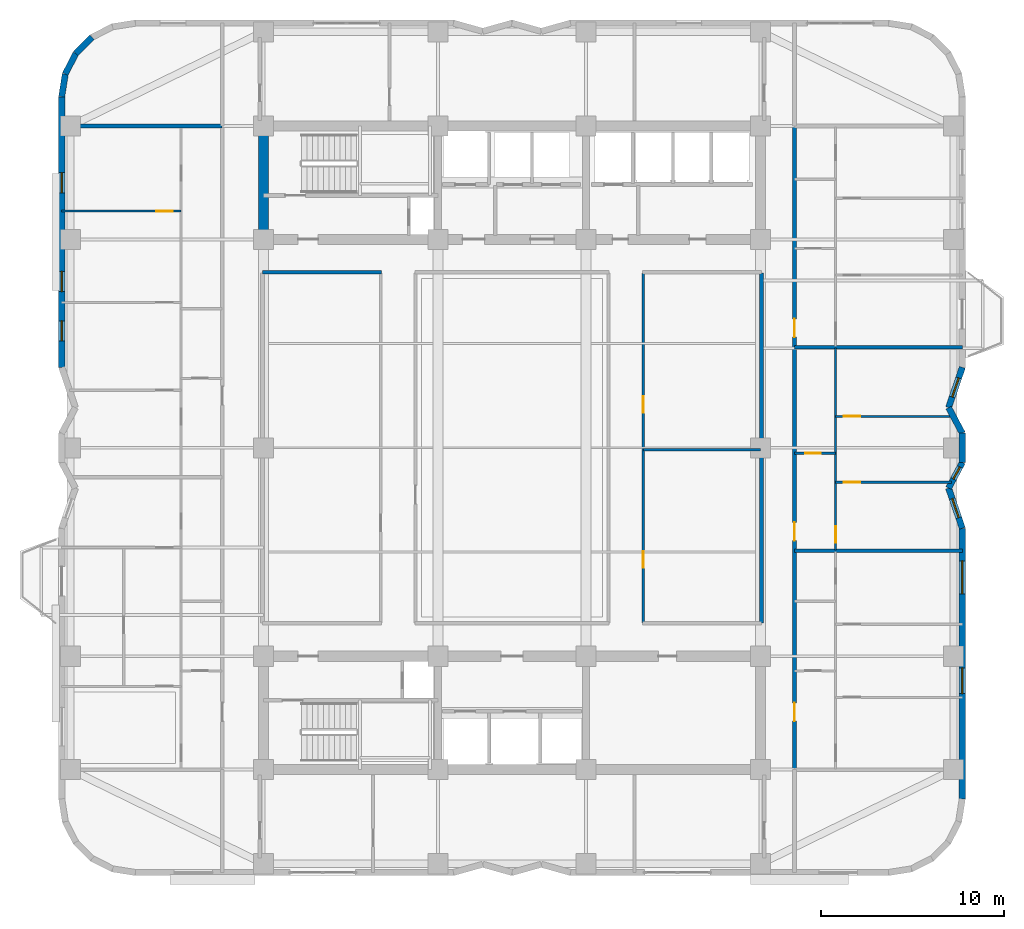
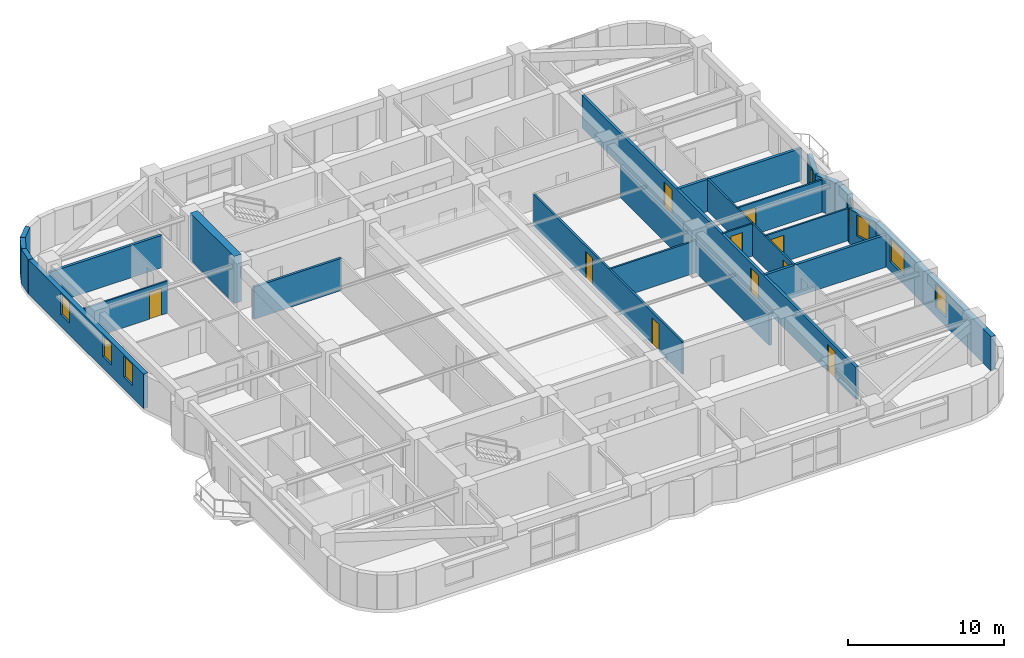
# One storey, part 10 of 15: 24 walls, 10 doors, 8 windows, 18 openings.
"""IFC4 building model written with IfcOpenShell, lengths in metres."""

from ifc_helpers import new_model, si_unit, direction, frame, frame_2d, origin, place, context, subcontext, project, spatial, rectangle, extrude, material, layer, layer_set, type_object, element, fill, save


model = new_model("IFC4")

# Units and contexts
model_context = context("Model", 3, precision=1e-05, world=origin(), true_north=direction((0.0, 1.0)))
body_context = subcontext(model_context, "Body", "Model", "MODEL_VIEW")
ifc_project = project(units=[si_unit("LENGTHUNIT", "METRE"), si_unit("AREAUNIT", "SQUARE_METRE"), si_unit("VOLUMEUNIT", "CUBIC_METRE"), si_unit("PLANEANGLEUNIT", "RADIAN"), si_unit("MASSUNIT", "GRAM", prefix="KILO")], contexts=[model_context])

# Site, building, storey
site_placement = place(None, origin())
site = spatial("IfcSite", under=ifc_project, at=site_placement, CompositionType="ELEMENT")
building_placement = place(site_placement, origin())
building = spatial("IfcBuilding", under=site, at=building_placement, Name="Svetorya Sky Lyceum", CompositionType="ELEMENT")
storey_placement = place(building_placement, frame((0.0, 0.0, 117.89990234375)))
storey = spatial("IfcBuildingStorey", under=building, at=storey_placement, Name="L29", CompositionType="ELEMENT", Elevation=117.89990234375)

# Wall
ifc_material_1 = material(Name="Concrete C60/75", Category="concrete")
ifc_layer_1 = layer(ifc_material_1, 0.550048828125)
ifc_layer_set_1 = layer_set([ifc_layer_1], Name="Concrete C60/75")
wall_type_1 = type_object("IfcWallType", Name="WL-CORE-550", PredefinedType="SHEAR", material=ifc_layer_set_1)
wall_1_placement = place(storey_placement, frame((25.60009765625, 39.875, 0.0), z_axis=(0.0, 0.0, 1.0), x_axis=(0.0, 1.0, 0.0)))
element("IfcWall", 1, at=wall_1_placement, inside=storey, type_object=wall_type_1, Name="L29 NC West Core Shear Wall", PredefinedType="SHEAR", context=body_context, shape_type="SweptSolid", body=[
    extrude(rectangle(XDim=5.64990234375, YDim=0.550048828125, at=frame_2d((2.824951171875, 0.0))), origin(), (0.0, 0.0, 1.0), 3.7001953125),
])

# Wall, openings, windows
ifc_material_2 = material(Name="Putilovo limestone rainscreen on autoclaved cellular masonry", Category="masonry")
ifc_layer_2 = layer(ifc_material_2, 0.340087890625)
ifc_layer_set_2 = layer_set([ifc_layer_2], Name="Putilovo limestone rainscreen on autoclaved cellular masonry")
wall_type_2 = type_object("IfcWallType", Name="WL-EXT-340", PredefinedType="SOLIDWALL", material=ifc_layer_set_2)
wall_2_placement = place(storey_placement, frame((63.830078125, 9.0, 0.0), z_axis=(0.0, 0.0, 1.0), x_axis=(0.0, 1.0, 0.0)))
wall_2 = element("IfcWall", 2, at=wall_2_placement, inside=storey, type_object=wall_type_2, Name="L29 Limestone Exterior Wall 17M", PredefinedType="SOLIDWALL", context=body_context, shape_type="SweptSolid", body=[
    extrude(rectangle(XDim=14.800048828125, YDim=0.340087890625, at=frame_2d((7.39990234375, 0.0))), origin(), (0.0, 0.0, 1.0), 2.7001953125),
])
opening_1_placement = place(wall_2_placement, frame((5.760009765625, 0.0, 0.68994140625)))
opening_1 = element("IfcOpeningElement", 3, at=opening_1_placement, cuts=wall_2, Name="Opening W-R2", PredefinedType="OPENING", context=body_context, shape_type="SweptSolid", body=[
    extrude(rectangle(XDim=1.39990234375, YDim=1.85009765625, at=frame_2d((0.699951171875, 0.925048828125))), frame((0.0, 0.179931640625, 0.0), z_axis=(0.0, -1.0, 0.0), x_axis=(1.0, 0.0, 0.0)), (0.0, 0.0, 1.0), 0.360107421875),
])
opening_2_placement = place(wall_2_placement, frame((11.21240234375, 0.0, 0.72998046875)))
opening_2 = element("IfcOpeningElement", 4, at=opening_2_placement, cuts=wall_2, Name="Opening W-R1", PredefinedType="OPENING", context=body_context, shape_type="SweptSolid", body=[
    extrude(rectangle(XDim=1.800048828125, YDim=1.85009765625, at=frame_2d((0.89990234375, 0.925048828125))), frame((0.0, 0.179931640625, 0.0), z_axis=(0.0, -1.0, 0.0), x_axis=(1.0, 0.0, 0.0)), (0.0, 0.0, 1.0), 0.360107421875),
])
ifc_material_3 = material(Name="Thermally broken aluminium frame with triple low-E glazing", Category="aluminium")
window_type_1 = type_object("IfcWindowType", Name="WN-RES-140", PartitioningType="SINGLE_PANEL", PredefinedType="WINDOW", material=ifc_material_3)
window_1_placement = place(opening_1_placement, origin())
window_1 = element("IfcWindow", 5, at=window_1_placement, inside=storey, type_object=window_type_1, Name="L29 Facade Window W-R2.17M.2", OverallHeight=1.85009765625, OverallWidth=1.39990234375, PartitioningType="SINGLE_PANEL", PredefinedType="WINDOW", context=body_context, shape_type="SweptSolid", body=[
    extrude(rectangle(XDim=1.39990234375, YDim=1.85009765625, at=frame_2d((0.699951171875, 0.925048828125))), frame((0.0, 0.030029296875, 0.0), z_axis=(0.0, -1.0, 0.0), x_axis=(1.0, 0.0, 0.0)), (0.0, 0.0, 1.0), 0.06005859375),
])
fill(opening_1, window_1)
window_type_2 = type_object("IfcWindowType", Name="WN-RES-180", PartitioningType="DOUBLE_PANEL_VERTICAL", PredefinedType="WINDOW", material=ifc_material_3)
window_2_placement = place(opening_2_placement, origin())
window_2 = element("IfcWindow", 6, at=window_2_placement, inside=storey, type_object=window_type_2, Name="L29 Facade Window W-R1.17M.1", OverallHeight=1.85009765625, OverallWidth=1.800048828125, PartitioningType="SINGLE_PANEL", PredefinedType="WINDOW", context=body_context, shape_type="SweptSolid", body=[
    extrude(rectangle(XDim=1.800048828125, YDim=1.85009765625, at=frame_2d((0.89990234375, 0.925048828125))), frame((0.0, 0.030029296875, 0.0), z_axis=(0.0, -1.0, 0.0), x_axis=(1.0, 0.0, 0.0)), (0.0, 0.0, 1.0), 0.06005859375),
])
fill(opening_2, window_2)

# Wall, opening, window
wall_3_placement = place(storey_placement, frame((63.830078125, 23.800048828125, 0.0), z_axis=(0.0, 0.0, 1.0), x_axis=(-0.322680343871, 0.946508000853, 0.0)))
wall_3 = element("IfcWall", 7, at=wall_3_placement, inside=storey, type_object=wall_type_2, Name="L29 Limestone Exterior Wall 18M", PredefinedType="SOLIDWALL", context=body_context, shape_type="SweptSolid", body=[
    extrude(rectangle(XDim=2.32421875, YDim=0.340087890625, at=frame_2d((1.162109375, 0.0))), origin(), (0.0, 0.0, 1.0), 2.7001953125),
])
opening_3_placement = place(wall_3_placement, frame((0.6123046875, 0.0, 0.889892578125)))
opening_3 = element("IfcOpeningElement", 8, at=opening_3_placement, cuts=wall_3, Name="Opening W-R3", PredefinedType="OPENING", context=body_context, shape_type="SweptSolid", body=[
    extrude(rectangle(XDim=1.10009765625, YDim=1.64990234375, at=frame_2d((0.550048828125, 0.824951171875))), frame((0.0, 0.179931640625, 0.0), z_axis=(0.0, -1.0, 0.0), x_axis=(1.0, 0.0, 0.0)), (0.0, 0.0, 1.0), 0.360107421875),
])
window_type_3 = type_object("IfcWindowType", Name="WN-RES-110", PartitioningType="SINGLE_PANEL", PredefinedType="WINDOW", material=ifc_material_3)
window_3_placement = place(opening_3_placement, origin())
window_3 = element("IfcWindow", 9, at=window_3_placement, inside=storey, type_object=window_type_3, Name="L29 Facade Window W-R3.18M.1", OverallHeight=1.64990234375, OverallWidth=1.10009765625, PartitioningType="SINGLE_PANEL", PredefinedType="WINDOW", context=body_context, shape_type="SweptSolid", body=[
    extrude(rectangle(XDim=1.10009765625, YDim=1.64990234375, at=frame_2d((0.550048828125, 0.824951171875))), frame((0.0, 0.030029296875, 0.0), z_axis=(0.0, -1.0, 0.0), x_axis=(1.0, 0.0, 0.0)), (0.0, 0.0, 1.0), 0.06005859375),
])
fill(opening_3, window_3)

wall_4_placement = place(storey_placement, frame((63.080078125, 26.0, 0.0), z_axis=(0.0, 0.0, 1.0), x_axis=(0.472247007964, 0.881466257703, 0.0)))
wall_4 = element("IfcWall", 10, at=wall_4_placement, inside=storey, type_object=wall_type_2, Name="L29 Limestone Exterior Wall 19M", PredefinedType="SOLIDWALL", context=body_context, shape_type="SweptSolid", body=[
    extrude(rectangle(XDim=1.588134765625, YDim=0.340087890625, at=frame_2d((0.7939453125, 0.0))), origin(), (0.0, 0.0, 1.0), 2.7001953125),
])
opening_4_placement = place(wall_4_placement, frame((0.56005859375, 0.0, 0.889892578125)))
opening_4 = element("IfcOpeningElement", 11, at=opening_4_placement, cuts=wall_4, Name="Opening W-R5", PredefinedType="OPENING", context=body_context, shape_type="SweptSolid", body=[
    extrude(rectangle(XDim=0.75, YDim=1.64990234375, at=frame_2d((0.375, 0.824951171875))), frame((0.0, 0.179931640625, 0.0), z_axis=(0.0, -1.0, 0.0), x_axis=(1.0, 0.0, 0.0)), (0.0, 0.0, 1.0), 0.360107421875),
])
window_type_4 = type_object("IfcWindowType", Name="WN-RES-075", PartitioningType="SINGLE_PANEL", PredefinedType="WINDOW", material=ifc_material_3)
window_4_placement = place(opening_4_placement, origin())
window_4 = element("IfcWindow", 12, at=window_4_placement, inside=storey, type_object=window_type_4, Name="L29 Facade Window W-R5.19M.1", OverallHeight=1.64990234375, OverallWidth=0.75, PartitioningType="SINGLE_PANEL", PredefinedType="WINDOW", context=body_context, shape_type="SweptSolid", body=[
    extrude(rectangle(XDim=0.75, YDim=1.64990234375, at=frame_2d((0.375, 0.824951171875))), frame((0.0, 0.030029296875, 0.0), z_axis=(0.0, -1.0, 0.0), x_axis=(1.0, 0.0, 0.0)), (0.0, 0.0, 1.0), 0.06005859375),
])
fill(opening_4, window_4)

# Walls
wall_5_placement = place(storey_placement, frame((63.830078125, 27.39990234375, 0.0), z_axis=(0.0, 0.0, 1.0), x_axis=(0.0, 1.0, 0.0)))
element("IfcWall", 13, at=wall_5_placement, inside=storey, type_object=wall_type_2, Name="L29 Limestone Exterior Wall 20M", PredefinedType="SOLIDWALL", context=body_context, shape_type="SweptSolid", body=[
    extrude(rectangle(XDim=1.60009765625, YDim=0.340087890625, at=frame_2d((0.800048828125, 0.0))), origin(), (0.0, 0.0, 1.0), 2.7001953125),
])
wall_6_placement = place(storey_placement, frame((63.830078125, 29.0, 0.0), z_axis=(0.0, 0.0, 1.0), x_axis=(-0.472247007964, 0.881466257703, 0.0)))
element("IfcWall", 14, at=wall_6_placement, inside=storey, type_object=wall_type_2, Name="L29 Limestone Exterior Wall 21M", PredefinedType="SOLIDWALL", context=body_context, shape_type="SweptSolid", body=[
    extrude(rectangle(XDim=1.588134765625, YDim=0.340087890625, at=frame_2d((0.7939453125, 0.0))), origin(), (0.0, 0.0, 1.0), 2.7001953125),
])

# Wall, opening, window
wall_7_placement = place(storey_placement, frame((63.080078125, 30.39990234375, 0.0), z_axis=(0.0, 0.0, 1.0), x_axis=(0.32264826586, 0.946518936175, 0.0)))
wall_7 = element("IfcWall", 15, at=wall_7_placement, inside=storey, type_object=wall_type_2, Name="L29 Limestone Exterior Wall 22M", PredefinedType="SOLIDWALL", context=body_context, shape_type="SweptSolid", body=[
    extrude(rectangle(XDim=2.324462890625, YDim=0.340087890625, at=frame_2d((1.162109375, 0.0))), origin(), (0.0, 0.0, 1.0), 2.7001953125),
])
opening_5_placement = place(wall_7_placement, frame((0.6123046875, 0.0, 0.889892578125)))
opening_5 = element("IfcOpeningElement", 16, at=opening_5_placement, cuts=wall_7, Name="Opening W-R3", PredefinedType="OPENING", context=body_context, shape_type="SweptSolid", body=[
    extrude(rectangle(XDim=1.10009765625, YDim=1.64990234375, at=frame_2d((0.550048828125, 0.824951171875))), frame((0.0, 0.179931640625, 0.0), z_axis=(0.0, -1.0, 0.0), x_axis=(1.0, 0.0, 0.0)), (0.0, 0.0, 1.0), 0.360107421875),
])
window_5_placement = place(opening_5_placement, origin())
window_5 = element("IfcWindow", 17, at=window_5_placement, inside=storey, type_object=window_type_3, Name="L29 Facade Window W-R3.22M.1", OverallHeight=1.64990234375, OverallWidth=1.10009765625, PartitioningType="SINGLE_PANEL", PredefinedType="WINDOW", context=body_context, shape_type="SweptSolid", body=[
    extrude(rectangle(XDim=1.10009765625, YDim=1.64990234375, at=frame_2d((0.550048828125, 0.824951171875))), frame((0.0, 0.030029296875, 0.0), z_axis=(0.0, -1.0, 0.0), x_axis=(1.0, 0.0, 0.0)), (0.0, 0.0, 1.0), 0.06005859375),
])
fill(opening_5, window_5)

# Walls
for number, where, z_axis, x_axis, name in (
    (18, (16.231201171875, 50.660400390625, 0.0), (0.0, 0.0, 1.0), (-0.707106781187, -0.707106781187, 0.0), "L29 Limestone Exterior Wall 37M"),
    (19, (15.339599609375, 49.768798828125, 0.0), (0.0, 0.0, 1.0), (-0.454015689056, -0.890993689142, 0.0), "L29 Limestone Exterior Wall 38M"),
):
    element("IfcWall", number, at=place(storey_placement, frame(where, z_axis=z_axis, x_axis=x_axis)), inside=storey, type_object=wall_type_2, Name=name, PredefinedType="SOLIDWALL", context=body_context, shape_type="SweptSolid", body=[
        extrude(rectangle(XDim=1.260986328125, YDim=0.340087890625, at=frame_2d((0.63037109375, 0.0))), origin(), (0.0, 0.0, 1.0), 2.7001953125),
    ])
wall_8_placement = place(storey_placement, frame((14.76708984375, 48.645263671875, 0.0), z_axis=(0.0, 0.0, 1.0), x_axis=(-0.156260864002, -0.98771582066, 0.0)))
element("IfcWall", 20, at=wall_8_placement, inside=storey, type_object=wall_type_2, Name="L29 Limestone Exterior Wall 39M", PredefinedType="SOLIDWALL", context=body_context, shape_type="SweptSolid", body=[
    extrude(rectangle(XDim=1.2607421875, YDim=0.340087890625, at=frame_2d((0.63037109375, 0.0))), origin(), (0.0, 0.0, 1.0), 2.7001953125),
])

# Wall, openings, windows
wall_9_placement = place(storey_placement, frame((14.570068359375, 47.39990234375, 0.0), z_axis=(0.0, 0.0, 1.0), x_axis=(0.0, -1.0, 0.0)))
wall_9 = element("IfcWall", 21, at=wall_9_placement, inside=storey, type_object=wall_type_2, Name="L29 Limestone Exterior Wall 40M", PredefinedType="SOLIDWALL", context=body_context, shape_type="SweptSolid", body=[
    extrude(rectangle(XDim=14.7998046875, YDim=0.340087890625, at=frame_2d((7.39990234375, 0.0))), origin(), (0.0, 0.0, 1.0), 2.7001953125),
])
opening_6_placement = place(wall_9_placement, frame((4.14990234375, 0.0, 0.929931640625)))
opening_6 = element("IfcOpeningElement", 22, at=opening_6_placement, cuts=wall_9, Name="Opening W-R3", PredefinedType="OPENING", context=body_context, shape_type="SweptSolid", body=[
    extrude(rectangle(XDim=1.10009765625, YDim=1.64990234375, at=frame_2d((0.550048828125, 0.824951171875))), frame((0.0, 0.179931640625, 0.0), z_axis=(0.0, -1.0, 0.0), x_axis=(1.0, 0.0, 0.0)), (0.0, 0.0, 1.0), 0.360107421875),
])
opening_7_placement = place(wall_9_placement, frame((9.550048828125, 0.0, 0.929931640625)))
opening_7 = element("IfcOpeningElement", 23, at=opening_7_placement, cuts=wall_9, Name="Opening W-R3", PredefinedType="OPENING", context=body_context, shape_type="SweptSolid", body=[
    extrude(rectangle(XDim=1.10009765625, YDim=1.64990234375, at=frame_2d((0.550048828125, 0.824951171875))), frame((0.0, 0.179931640625, 0.0), z_axis=(0.0, -1.0, 0.0), x_axis=(1.0, 0.0, 0.0)), (0.0, 0.0, 1.0), 0.360107421875),
])
opening_8_placement = place(wall_9_placement, frame((12.25, 0.0, 0.929931640625)))
opening_8 = element("IfcOpeningElement", 24, at=opening_8_placement, cuts=wall_9, Name="Opening W-R3", PredefinedType="OPENING", context=body_context, shape_type="SweptSolid", body=[
    extrude(rectangle(XDim=1.10009765625, YDim=1.64990234375, at=frame_2d((0.550048828125, 0.824951171875))), frame((0.0, 0.179931640625, 0.0), z_axis=(0.0, -1.0, 0.0), x_axis=(1.0, 0.0, 0.0)), (0.0, 0.0, 1.0), 0.360107421875),
])
window_6_placement = place(opening_6_placement, origin())
window_6 = element("IfcWindow", 25, at=window_6_placement, inside=storey, type_object=window_type_3, Name="L29 Facade Window W-R3.40M.1", OverallHeight=1.64990234375, OverallWidth=1.10009765625, PartitioningType="SINGLE_PANEL", PredefinedType="WINDOW", context=body_context, shape_type="SweptSolid", body=[
    extrude(rectangle(XDim=1.10009765625, YDim=1.64990234375, at=frame_2d((0.550048828125, 0.824951171875))), frame((0.0, 0.030029296875, 0.0), z_axis=(0.0, -1.0, 0.0), x_axis=(1.0, 0.0, 0.0)), (0.0, 0.0, 1.0), 0.06005859375),
])
fill(opening_6, window_6)
window_7_placement = place(opening_7_placement, origin())
window_7 = element("IfcWindow", 26, at=window_7_placement, inside=storey, type_object=window_type_3, Name="L29 Facade Window W-R3.40M.2", OverallHeight=1.64990234375, OverallWidth=1.10009765625, PartitioningType="SINGLE_PANEL", PredefinedType="WINDOW", context=body_context, shape_type="SweptSolid", body=[
    extrude(rectangle(XDim=1.10009765625, YDim=1.64990234375, at=frame_2d((0.550048828125, 0.824951171875))), frame((0.0, 0.030029296875, 0.0), z_axis=(0.0, -1.0, 0.0), x_axis=(1.0, 0.0, 0.0)), (0.0, 0.0, 1.0), 0.06005859375),
])
fill(opening_7, window_7)
window_8_placement = place(opening_8_placement, origin())
window_8 = element("IfcWindow", 27, at=window_8_placement, inside=storey, type_object=window_type_3, Name="L29 Facade Window W-R3.40M.3", OverallHeight=1.64990234375, OverallWidth=1.10009765625, PartitioningType="SINGLE_PANEL", PredefinedType="WINDOW", context=body_context, shape_type="SweptSolid", body=[
    extrude(rectangle(XDim=1.10009765625, YDim=1.64990234375, at=frame_2d((0.550048828125, 0.824951171875))), frame((0.0, 0.030029296875, 0.0), z_axis=(0.0, -1.0, 0.0), x_axis=(1.0, 0.0, 0.0)), (0.0, 0.0, 1.0), 0.06005859375),
])
fill(opening_8, window_8)

# Wall, opening, door
ifc_material_4 = material(Name="Twin-stud galvanized framing with double fireboard", Category="gypsum")
ifc_layer_3 = layer(ifc_material_4, 0.1201171875)
ifc_layer_set_3 = layer_set([ifc_layer_3], Name="Twin-stud galvanized framing with double fireboard")
wall_type_3 = type_object("IfcWallType", Name="WL-PART-120", PredefinedType="PARTITIONING", material=ifc_layer_set_3)
wall_10_placement = place(storey_placement, frame((14.570068359375, 41.14990234375, 0.0), z_axis=(0.0, 0.0, 1.0), x_axis=(1.0, 0.0, 0.0)))
wall_10 = element("IfcWall", 28, at=wall_10_placement, inside=storey, type_object=wall_type_3, Name="L29 Interior Partition W2-WL3", PredefinedType="PARTITIONING", context=body_context, shape_type="SweptSolid", body=[
    extrude(rectangle(XDim=6.530029296875, YDim=0.1201171875, at=frame_2d((3.26513671875, 0.0))), origin(), (0.0, 0.0, 1.0), 2.530029296875),
])
opening_9_placement = place(wall_10_placement, frame((5.179931640625, 0.0, 0.0)))
opening_9 = element("IfcOpeningElement", 29, at=opening_9_placement, cuts=wall_10, Name="Opening D-RM1", PredefinedType="OPENING", context=body_context, shape_type="SweptSolid", body=[
    extrude(rectangle(XDim=0.89990234375, YDim=2.10009765625, at=frame_2d((0.449951171875, 1.050048828125))), frame((0.0, 0.070068359375, 0.0), z_axis=(0.0, -1.0, 0.0), x_axis=(1.0, 0.0, 0.0)), (0.0, 0.0, 1.0), 0.14013671875),
])
ifc_material_5 = material(Name="Lacquered birch veneer internal door")
door_type_1 = type_object("IfcDoorType", Name="DR-INT-900", OperationType="SINGLE_SWING_LEFT", PredefinedType="DOOR", material=ifc_material_5)
door_1_placement = place(opening_9_placement, origin())
door_1 = element("IfcDoor", 30, at=door_1_placement, inside=storey, type_object=door_type_1, Name="Apartment W2 Bedroom 3 Door", OperationType="SINGLE_SWING_RIGHT", OverallHeight=2.10009765625, OverallWidth=0.89990234375, PredefinedType="DOOR", context=body_context, shape_type="SweptSolid", body=[
    extrude(rectangle(XDim=0.89990234375, YDim=2.10009765625, at=frame_2d((0.449951171875, 1.050048828125))), frame((0.0, 0.02490234375, 0.0), z_axis=(0.0, -1.0, 0.0), x_axis=(1.0, 0.0, 0.0)), (0.0, 0.0, 1.0), 0.050048828125),
])
fill(opening_9, door_1)

wall_11_placement = place(storey_placement, frame((54.64990234375, 27.907958984375, 0.0), z_axis=(0.0, 0.0, 1.0), x_axis=(1.0, 0.0, 0.0)))
wall_11 = element("IfcWall", 31, at=wall_11_placement, inside=storey, type_object=wall_type_3, Name="L29 Interior Partition E2-WH1", PredefinedType="PARTITIONING", context=body_context, shape_type="SweptSolid", body=[
    extrude(rectangle(XDim=2.25, YDim=0.1201171875, at=frame_2d((1.125, 0.0))), origin(), (0.0, 0.0, 1.0), 2.530029296875),
])
opening_10_placement = place(wall_11_placement, frame((0.60009765625, 0.0, 0.0)))
opening_10 = element("IfcOpeningElement", 32, at=opening_10_placement, cuts=wall_11, Name="Opening D-BT1", PredefinedType="OPENING", context=body_context, shape_type="SweptSolid", body=[
    extrude(rectangle(XDim=0.85009765625, YDim=2.10009765625, at=frame_2d((0.425048828125, 1.050048828125))), frame((0.0, 0.070068359375, 0.0), z_axis=(0.0, -1.0, 0.0), x_axis=(1.0, 0.0, 0.0)), (0.0, 0.0, 1.0), 0.14013671875),
])
ifc_material_6 = material(Name="Moisture-resistant laminate bathroom door")
door_type_2 = type_object("IfcDoorType", Name="DR-WET-850", OperationType="SINGLE_SWING_LEFT", PredefinedType="DOOR", material=ifc_material_6)
door_2_placement = place(opening_10_placement, origin())
door_2 = element("IfcDoor", 33, at=door_2_placement, inside=storey, type_object=door_type_2, Name="Apartment E2 Bathroom Door", OperationType="SINGLE_SWING_LEFT", OverallHeight=2.10009765625, OverallWidth=0.85009765625, PredefinedType="DOOR", context=body_context, shape_type="SweptSolid", body=[
    extrude(rectangle(XDim=0.85009765625, YDim=2.10009765625, at=frame_2d((0.425048828125, 1.050048828125))), frame((0.0, 0.02490234375, 0.0), z_axis=(0.0, -1.0, 0.0), x_axis=(1.0, 0.0, 0.0)), (0.0, 0.0, 1.0), 0.050048828125),
])
fill(opening_10, door_2)

wall_12_placement = place(storey_placement, frame((56.89990234375, 26.318115234375, 0.0), z_axis=(0.0, 0.0, 1.0), x_axis=(1.0, 0.0, 0.0)))
wall_12 = element("IfcWall", 34, at=wall_12_placement, inside=storey, type_object=wall_type_3, Name="L29 Interior Partition E2-WL1", PredefinedType="PARTITIONING", context=body_context, shape_type="SweptSolid", body=[
    extrude(rectangle(XDim=6.3505859375, YDim=0.1201171875, at=frame_2d((3.17529296875, 0.0))), origin(), (0.0, 0.0, 1.0), 2.530029296875),
])
opening_11_placement = place(wall_12_placement, frame((0.449951171875, 0.0, 0.0)))
opening_11 = element("IfcOpeningElement", 35, at=opening_11_placement, cuts=wall_12, Name="Opening D-RM1", PredefinedType="OPENING", context=body_context, shape_type="SweptSolid", body=[
    extrude(rectangle(XDim=0.89990234375, YDim=2.10009765625, at=frame_2d((0.449951171875, 1.050048828125))), frame((0.0, 0.070068359375, 0.0), z_axis=(0.0, -1.0, 0.0), x_axis=(1.0, 0.0, 0.0)), (0.0, 0.0, 1.0), 0.14013671875),
])
door_3_placement = place(opening_11_placement, origin())
door_3 = element("IfcDoor", 36, at=door_3_placement, inside=storey, type_object=door_type_1, Name="Apartment E2 Master Bedroom Door", OperationType="SINGLE_SWING_LEFT", OverallHeight=2.10009765625, OverallWidth=0.89990234375, PredefinedType="DOOR", context=body_context, shape_type="SweptSolid", body=[
    extrude(rectangle(XDim=0.89990234375, YDim=2.10009765625, at=frame_2d((0.449951171875, 1.050048828125))), frame((0.0, 0.02490234375, 0.0), z_axis=(0.0, -1.0, 0.0), x_axis=(1.0, 0.0, 0.0)), (0.0, 0.0, 1.0), 0.050048828125),
])
fill(opening_11, door_3)

wall_13_placement = place(storey_placement, frame((56.89990234375, 29.91796875, 0.0), z_axis=(0.0, 0.0, 1.0), x_axis=(1.0, 0.0, 0.0)))
wall_13 = element("IfcWall", 37, at=wall_13_placement, inside=storey, type_object=wall_type_3, Name="L29 Interior Partition E2-WL2", PredefinedType="PARTITIONING", context=body_context, shape_type="SweptSolid", body=[
    extrude(rectangle(XDim=6.438232421875, YDim=0.1201171875, at=frame_2d((3.21923828125, 0.0))), origin(), (0.0, 0.0, 1.0), 2.530029296875),
])
opening_12_placement = place(wall_13_placement, frame((0.449951171875, 0.0, 0.0)))
opening_12 = element("IfcOpeningElement", 38, at=opening_12_placement, cuts=wall_13, Name="Opening D-RM1", PredefinedType="OPENING", context=body_context, shape_type="SweptSolid", body=[
    extrude(rectangle(XDim=0.89990234375, YDim=2.10009765625, at=frame_2d((0.449951171875, 1.050048828125))), frame((0.0, 0.070068359375, 0.0), z_axis=(0.0, -1.0, 0.0), x_axis=(1.0, 0.0, 0.0)), (0.0, 0.0, 1.0), 0.14013671875),
])
door_4_placement = place(opening_12_placement, origin())
door_4 = element("IfcDoor", 39, at=door_4_placement, inside=storey, type_object=door_type_1, Name="Apartment E2 Bedroom 2 Door", OperationType="SINGLE_SWING_RIGHT", OverallHeight=2.10009765625, OverallWidth=0.89990234375, PredefinedType="DOOR", context=body_context, shape_type="SweptSolid", body=[
    extrude(rectangle(XDim=0.89990234375, YDim=2.10009765625, at=frame_2d((0.449951171875, 1.050048828125))), frame((0.0, 0.02490234375, 0.0), z_axis=(0.0, -1.0, 0.0), x_axis=(1.0, 0.0, 0.0)), (0.0, 0.0, 1.0), 0.050048828125),
])
fill(opening_12, door_4)

wall_14_placement = place(storey_placement, frame((56.89990234375, 22.60791015625, 0.0), z_axis=(0.0, 0.0, 1.0), x_axis=(0.0, 1.0, 0.0)))
wall_14 = element("IfcWall", 40, at=wall_14_placement, inside=storey, type_object=wall_type_3, Name="L29 Interior Partition E2-WV", PredefinedType="PARTITIONING", context=body_context, shape_type="SweptSolid", body=[
    extrude(rectangle(XDim=11.052001953125, YDim=0.1201171875, at=frame_2d((5.52587890625, 0.0))), origin(), (0.0, 0.0, 1.0), 2.530029296875),
])
opening_13_placement = place(wall_14_placement, frame((0.409912109375, 0.0, 0.0)))
opening_13 = element("IfcOpeningElement", 41, at=opening_13_placement, cuts=wall_14, Name="Opening D-RM1", PredefinedType="OPENING", context=body_context, shape_type="SweptSolid", body=[
    extrude(rectangle(XDim=0.89990234375, YDim=2.10009765625, at=frame_2d((0.449951171875, 1.050048828125))), frame((0.0, 0.070068359375, 0.0), z_axis=(0.0, -1.0, 0.0), x_axis=(1.0, 0.0, 0.0)), (0.0, 0.0, 1.0), 0.14013671875),
])
door_5_placement = place(opening_13_placement, origin())
door_5 = element("IfcDoor", 42, at=door_5_placement, inside=storey, type_object=door_type_1, Name="Apartment E2 Living Door", OperationType="SINGLE_SWING_RIGHT", OverallHeight=2.10009765625, OverallWidth=0.89990234375, PredefinedType="DOOR", context=body_context, shape_type="SweptSolid", body=[
    extrude(rectangle(XDim=0.89990234375, YDim=2.10009765625, at=frame_2d((0.449951171875, 1.050048828125))), frame((0.0, 0.02490234375, 0.0), z_axis=(0.0, -1.0, 0.0), x_axis=(1.0, 0.0, 0.0)), (0.0, 0.0, 1.0), 0.050048828125),
])
fill(opening_13, door_5)

# Wall
ifc_material_7 = material(Name="Twin-stud galvanized framing with acoustic board", Category="gypsum")
ifc_layer_4 = layer(ifc_material_7, 0.135009765625)
ifc_layer_set_4 = layer_set([ifc_layer_4], Name="Twin-stud galvanized framing with acoustic board")
wall_type_4 = type_object("IfcWallType", Name="WL-PART-135", PredefinedType="PARTITIONING", material=ifc_layer_set_4)
wall_15_placement = place(storey_placement, frame((46.3798828125, 28.10009765625, 0.0), z_axis=(0.0, 0.0, 1.0), x_axis=(1.0, 0.0, 0.0)))
element("IfcWall", 43, at=wall_15_placement, inside=storey, type_object=wall_type_4, Name="L29 Interior Partition ISL-HMID", PredefinedType="PARTITIONING", context=body_context, shape_type="SweptSolid", body=[
    extrude(rectangle(XDim=6.420166015625, YDim=0.135009765625, at=frame_2d((3.2099609375, 0.0))), origin(), (0.0, 0.0, 1.0), 2.530029296875),
])

# Wall, openings, doors
ifc_material_8 = material(Name="Autoclaved cellular masonry blockwork with acoustic render", Category="masonry")
ifc_layer_5 = layer(ifc_material_8, 0.14990234375)
ifc_layer_set_5 = layer_set([ifc_layer_5], Name="Autoclaved cellular masonry blockwork with acoustic render")
wall_type_5 = type_object("IfcWallType", Name="WL-PART-150", PredefinedType="PARTITIONING", material=ifc_layer_set_5)
wall_16_placement = place(storey_placement, frame((46.3798828125, 18.6298828125, 0.0), z_axis=(0.0, 0.0, 1.0), x_axis=(0.0, 1.0, 0.0)))
wall_16 = element("IfcWall", 44, at=wall_16_placement, inside=storey, type_object=wall_type_5, Name="L29 Interior Partition ISL-EE", PredefinedType="PARTITIONING", context=body_context, shape_type="SweptSolid", body=[
    extrude(rectangle(XDim=19.14013671875, YDim=0.14990234375, at=frame_2d((9.570068359375, 0.0))), origin(), (0.0, 0.0, 1.0), 2.530029296875),
])
opening_14_placement = place(wall_16_placement, frame((3.0, 0.0, 0.0)))
opening_14 = element("IfcOpeningElement", 45, at=opening_14_placement, cuts=wall_16, Name="Opening D-RM1", PredefinedType="OPENING", context=body_context, shape_type="SweptSolid", body=[
    extrude(rectangle(XDim=0.89990234375, YDim=2.10009765625, at=frame_2d((0.449951171875, 1.050048828125))), frame((0.0, 0.0849609375, 0.0), z_axis=(0.0, -1.0, 0.0), x_axis=(1.0, 0.0, 0.0)), (0.0, 0.0, 1.0), 0.169921875),
])
opening_15_placement = place(wall_16_placement, frame((11.5, 0.0, 0.0)))
opening_15 = element("IfcOpeningElement", 46, at=opening_15_placement, cuts=wall_16, Name="Opening D-RM1", PredefinedType="OPENING", context=body_context, shape_type="SweptSolid", body=[
    extrude(rectangle(XDim=0.89990234375, YDim=2.10009765625, at=frame_2d((0.449951171875, 1.050048828125))), frame((0.0, 0.0849609375, 0.0), z_axis=(0.0, -1.0, 0.0), x_axis=(1.0, 0.0, 0.0)), (0.0, 0.0, 1.0), 0.169921875),
])
door_6_placement = place(opening_14_placement, origin())
door_6 = element("IfcDoor", 47, at=door_6_placement, inside=storey, type_object=door_type_1, Name="L29 Focus Door", OperationType="SINGLE_SWING_LEFT", OverallHeight=2.10009765625, OverallWidth=0.89990234375, PredefinedType="DOOR", context=body_context, shape_type="SweptSolid", body=[
    extrude(rectangle(XDim=0.89990234375, YDim=2.10009765625, at=frame_2d((0.449951171875, 1.050048828125))), frame((0.0, 0.02490234375, 0.0), z_axis=(0.0, -1.0, 0.0), x_axis=(1.0, 0.0, 0.0)), (0.0, 0.0, 1.0), 0.050048828125),
])
fill(opening_14, door_6)
door_7_placement = place(opening_15_placement, origin())
door_7 = element("IfcDoor", 48, at=door_7_placement, inside=storey, type_object=door_type_1, Name="L29 East Meeting Door", OperationType="SINGLE_SWING_RIGHT", OverallHeight=2.10009765625, OverallWidth=0.89990234375, PredefinedType="DOOR", context=body_context, shape_type="SweptSolid", body=[
    extrude(rectangle(XDim=0.89990234375, YDim=2.10009765625, at=frame_2d((0.449951171875, 1.050048828125))), frame((0.0, 0.02490234375, 0.0), z_axis=(0.0, -1.0, 0.0), x_axis=(1.0, 0.0, 0.0)), (0.0, 0.0, 1.0), 0.050048828125),
])
fill(opening_15, door_7)

# Walls
ifc_material_9 = material(Name="Autoclaved cellular masonry blockwork with fire render", Category="masonry")
ifc_layer_6 = layer(ifc_material_9, 0.175048828125)
ifc_layer_set_6 = layer_set([ifc_layer_6], Name="Autoclaved cellular masonry blockwork with fire render")
wall_type_6 = type_object("IfcWallType", Name="WL-PART-175", PredefinedType="PARTITIONING", material=ifc_layer_set_6)
wall_17_placement = place(storey_placement, frame((25.550048828125, 37.800048828125, 0.0), z_axis=(0.0, 0.0, 1.0), x_axis=(1.0, 0.0, 0.0)))
element("IfcWall", 49, at=wall_17_placement, inside=storey, type_object=wall_type_6, Name="L29 Interior Partition RL-CN-W", PredefinedType="PARTITIONING", context=body_context, shape_type="SweptSolid", body=[
    extrude(rectangle(XDim=6.5, YDim=0.175048828125, at=frame_2d((3.25, 0.0))), origin(), (0.0, 0.0, 1.0), 2.530029296875),
])
ifc_material_10 = material(Name="Autoclaved cellular masonry blockwork with gypsum plaster", Category="masonry")
ifc_layer_7 = layer(ifc_material_10, 0.199951171875)
ifc_layer_set_7 = layer_set([ifc_layer_7], Name="Autoclaved cellular masonry blockwork with gypsum plaster")
wall_type_7 = type_object("IfcWallType", Name="WL-PART-200", PredefinedType="PARTITIONING", material=ifc_layer_set_7)
wall_18_placement = place(storey_placement, frame((52.85009765625, 18.6298828125, 0.0), z_axis=(0.0, 0.0, 1.0), x_axis=(0.0, 1.0, 0.0)))
element("IfcWall", 50, at=wall_18_placement, inside=storey, type_object=wall_type_7, Name="L29 Interior Partition E-CEN-SEP", PredefinedType="PARTITIONING", context=body_context, shape_type="SweptSolid", body=[
    extrude(rectangle(XDim=19.14013671875, YDim=0.199951171875, at=frame_2d((9.570068359375, 0.0))), origin(), (0.0, 0.0, 1.0), 2.530029296875),
])
wall_19_placement = place(storey_placement, frame((14.989990234375, 45.800048828125, 0.0), z_axis=(0.0, 0.0, 1.0), x_axis=(1.0, 0.0, 0.0)))
element("IfcWall", 51, at=wall_19_placement, inside=storey, type_object=wall_type_7, Name="L29 Interior Partition W-CAP-N", PredefinedType="PARTITIONING", context=body_context, shape_type="SweptSolid", body=[
    extrude(rectangle(XDim=8.360107421875, YDim=0.199951171875, at=frame_2d((4.18017578125, 0.0))), origin(), (0.0, 0.0, 1.0), 2.530029296875),
])
for number, where, z_axis, x_axis, name in (
    (52, (54.64990234375, 22.568115234375, 0.0), (0.0, 0.0, 1.0), (1.0, 0.0, 0.0), "L29 Interior Partition E-PARTY-1"),
    (53, (54.64990234375, 33.699951171875, 0.0), (0.0, 0.0, 1.0), (1.0, 0.0, 0.0), "L29 Interior Partition E-PARTY-2"),
):
    element("IfcWall", number, at=place(storey_placement, frame(where, z_axis=z_axis, x_axis=x_axis)), inside=storey, type_object=wall_type_7, Name=name, PredefinedType="PARTITIONING", context=body_context, shape_type="SweptSolid", body=[
        extrude(rectangle(XDim=9.18017578125, YDim=0.199951171875, at=frame_2d((4.590087890625, 0.0))), origin(), (0.0, 0.0, 1.0), 2.530029296875),
    ])

# Wall, openings, doors
wall_20_placement = place(storey_placement, frame((54.64990234375, 10.60009765625, 0.0), z_axis=(0.0, 0.0, 1.0), x_axis=(0.0, 1.0, 0.0)))
wall_20 = element("IfcWall", 54, at=wall_20_placement, inside=storey, type_object=wall_type_7, Name="L29 Interior Partition E-CORRW", PredefinedType="PARTITIONING", context=body_context, shape_type="SweptSolid", body=[
    extrude(rectangle(XDim=35.199951171875, YDim=0.199951171875, at=frame_2d((17.60009765625, 0.0))), origin(), (0.0, 0.0, 1.0), 2.530029296875),
])
opening_16_placement = place(wall_20_placement, frame((2.64990234375, 0.0, 0.0)))
opening_16 = element("IfcOpeningElement", 55, at=opening_16_placement, cuts=wall_20, Name="Opening D-APT1", PredefinedType="OPENING", context=body_context, shape_type="SweptSolid", body=[
    extrude(rectangle(XDim=1.0, YDim=2.14990234375, at=frame_2d((0.5, 1.074951171875))), frame((0.0, 0.10986328125, 0.0), z_axis=(0.0, -1.0, 0.0), x_axis=(1.0, 0.0, 0.0)), (0.0, 0.0, 1.0), 0.219970703125),
])
opening_17_placement = place(wall_20_placement, frame((12.51806640625, 0.0, 0.0)))
opening_17 = element("IfcOpeningElement", 56, at=opening_17_placement, cuts=wall_20, Name="Opening D-APT1", PredefinedType="OPENING", context=body_context, shape_type="SweptSolid", body=[
    extrude(rectangle(XDim=1.0, YDim=2.14990234375, at=frame_2d((0.5, 1.074951171875))), frame((0.0, 0.10986328125, 0.0), z_axis=(0.0, -1.0, 0.0), x_axis=(1.0, 0.0, 0.0)), (0.0, 0.0, 1.0), 0.219970703125),
])
opening_18_placement = place(wall_20_placement, frame((23.64990234375, 0.0, 0.0)))
opening_18 = element("IfcOpeningElement", 57, at=opening_18_placement, cuts=wall_20, Name="Opening D-APT1", PredefinedType="OPENING", context=body_context, shape_type="SweptSolid", body=[
    extrude(rectangle(XDim=1.0, YDim=2.14990234375, at=frame_2d((0.5, 1.074951171875))), frame((0.0, 0.10986328125, 0.0), z_axis=(0.0, -1.0, 0.0), x_axis=(1.0, 0.0, 0.0)), (0.0, 0.0, 1.0), 0.219970703125),
])
ifc_material_11 = material(Name="Insulated oak-veneered apartment entrance door")
door_type_3 = type_object("IfcDoorType", Name="DR-APT-1000", OperationType="SINGLE_SWING_LEFT", PredefinedType="DOOR", material=ifc_material_11)
door_8_placement = place(opening_16_placement, origin())
door_8 = element("IfcDoor", 58, at=door_8_placement, inside=storey, type_object=door_type_3, Name="L29 Apartment E1 Entrance Door", OperationType="SINGLE_SWING_RIGHT", OverallHeight=2.14990234375, OverallWidth=1.0, PredefinedType="DOOR", context=body_context, shape_type="SweptSolid", body=[
    extrude(rectangle(XDim=1.0, YDim=2.14990234375, at=frame_2d((0.5, 1.074951171875))), frame((0.0, 0.02490234375, 0.0), z_axis=(0.0, -1.0, 0.0), x_axis=(1.0, 0.0, 0.0)), (0.0, 0.0, 1.0), 0.050048828125),
])
fill(opening_16, door_8)
door_9_placement = place(opening_17_placement, origin())
door_9 = element("IfcDoor", 59, at=door_9_placement, inside=storey, type_object=door_type_3, Name="L29 Apartment E2 Entrance Door", OperationType="SINGLE_SWING_LEFT", OverallHeight=2.14990234375, OverallWidth=1.0, PredefinedType="DOOR", context=body_context, shape_type="SweptSolid", body=[
    extrude(rectangle(XDim=1.0, YDim=2.14990234375, at=frame_2d((0.5, 1.074951171875))), frame((0.0, 0.02490234375, 0.0), z_axis=(0.0, -1.0, 0.0), x_axis=(1.0, 0.0, 0.0)), (0.0, 0.0, 1.0), 0.050048828125),
])
fill(opening_17, door_9)
door_10_placement = place(opening_18_placement, origin())
door_10 = element("IfcDoor", 60, at=door_10_placement, inside=storey, type_object=door_type_3, Name="L29 Apartment E3 Entrance Door", OperationType="SINGLE_SWING_RIGHT", OverallHeight=2.14990234375, OverallWidth=1.0, PredefinedType="DOOR", context=body_context, shape_type="SweptSolid", body=[
    extrude(rectangle(XDim=1.0, YDim=2.14990234375, at=frame_2d((0.5, 1.074951171875))), frame((0.0, 0.02490234375, 0.0), z_axis=(0.0, -1.0, 0.0), x_axis=(1.0, 0.0, 0.0)), (0.0, 0.0, 1.0), 0.050048828125),
])
fill(opening_18, door_10)

save(model, "model.ifc")
